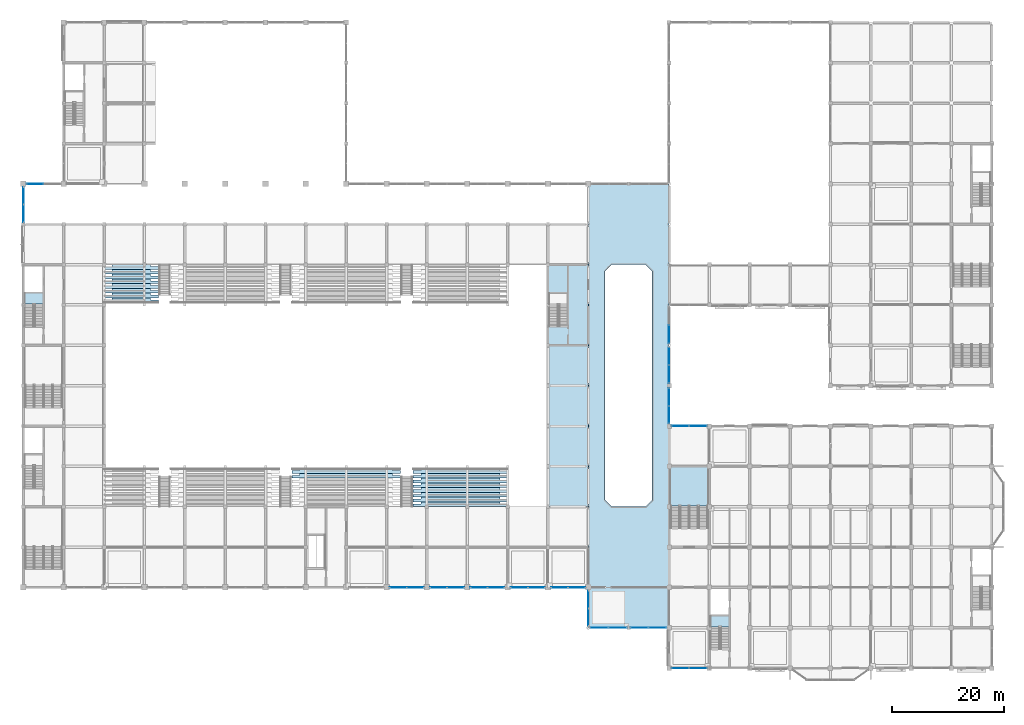
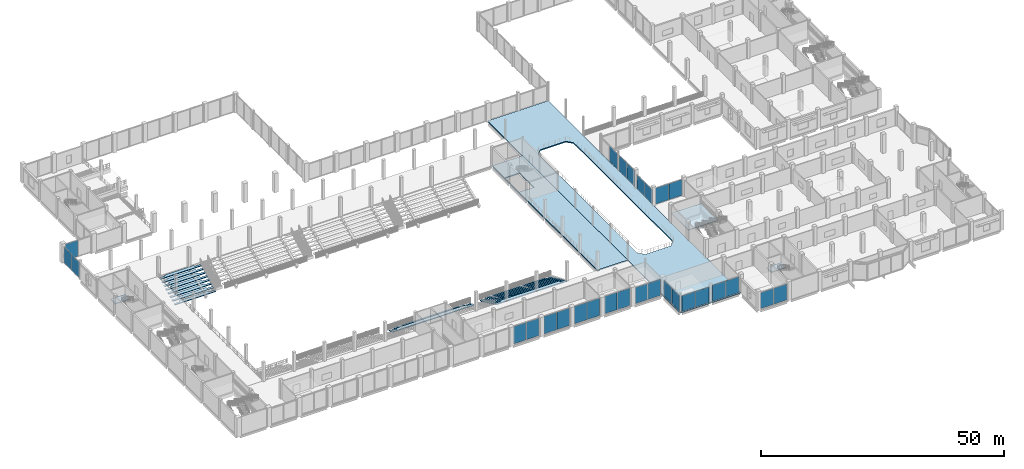
# One storey, part 56 of 99: 28 plates, 23 slabs, 18 elements without a shape of their own.
"""IFC4 building model written with IfcOpenShell, lengths in metres."""

from ifc_helpers import new_model, si_unit, direction, frame, origin, origin_2d, place, context, subcontext, project, spatial, polyline, rectangle, outline, extrude, material, layer, layer_set, type_object, element, aggregate, save


model = new_model("IFC4")

# Units and contexts
model_context = context("Model", 3, precision=1e-05, world=origin(), true_north=direction((0.0, 1.0)))
body_context = subcontext(model_context, "Body", "Model", "MODEL_VIEW")
ifc_project = project(units=[si_unit("LENGTHUNIT", "METRE"), si_unit("AREAUNIT", "SQUARE_METRE"), si_unit("VOLUMEUNIT", "CUBIC_METRE"), si_unit("PLANEANGLEUNIT", "RADIAN"), si_unit("MASSUNIT", "GRAM", prefix="KILO")], contexts=[model_context])

# Site, building, storey
site_placement = place(None, origin())
site = spatial("IfcSite", under=ifc_project, at=site_placement, CompositionType="ELEMENT")
building_placement = place(site_placement, origin())
building = spatial("IfcBuilding", under=site, at=building_placement, Name="Vesperath Aquatics Centre", CompositionType="ELEMENT")
storey_placement = place(building_placement, frame((0.0, 0.0, 5.39990234375)))
storey = spatial("IfcBuildingStorey", under=building, at=storey_placement, Name="L01", CompositionType="ELEMENT", Elevation=5.39990234375)

# Curtain wall, plates
ifc_material_1 = material(Name="Thermally broken anodised bronze aluminium curtain wall", Category="aluminium")
curtain_wall_type_1 = type_object("IfcCurtainWallType", Name="CW-02", PredefinedType="NOTDEFINED", material=ifc_material_1)
curtain_wall_1_placement = place(storey_placement, origin())
curtain_wall_1 = element("IfcCurtainWall", 1, at=curtain_wall_1_placement, inside=storey, type_object=curtain_wall_type_1, Name="Facade Curtain Wall CW02 L01_S_09_02", PredefinedType="NOTDEFINED")
ifc_material_2 = material(Name="Triple low-E argon insulated vision glass", Category="glass")
ifc_layer_1 = layer(ifc_material_2, 0.035888671875)
ifc_layer_set_1 = layer_set([ifc_layer_1], Name="Triple low-E argon insulated vision glass")
plate_type_1 = type_object("IfcPlateType", Name="PT-CWP02", PredefinedType="CURTAIN_PANEL", material=ifc_layer_set_1)
plate_1_placement = place(storey_placement, frame((66.86865234375, 14.39990234375, 0.0751953125), z_axis=(0.0, 0.0, 1.0), x_axis=(1.0, 0.0, 0.0)))
plate_1 = element("IfcPlate", 2, at=plate_1_placement, type_object=plate_type_1, Name="CW02 panel 1.1", PredefinedType="CURTAIN_PANEL", context=body_context, shape_type="SweptSolid", body=[
    extrude(rectangle(XDim=2.987548828125, YDim=0.035888671875, at=origin_2d()), origin(), (0.0, 0.0, 1.0), 4.389892578125),
])
plate_2_placement = place(storey_placement, frame((69.93115234375, 14.39990234375, 0.0751953125), z_axis=(0.0, 0.0, 1.0), x_axis=(1.0, 0.0, 0.0)))
plate_2 = element("IfcPlate", 3, at=plate_2_placement, type_object=plate_type_1, Name="CW02 panel 2.1", PredefinedType="CURTAIN_PANEL", context=body_context, shape_type="SweptSolid", body=[
    extrude(rectangle(XDim=2.987548828125, YDim=0.035888671875, at=origin_2d()), origin(), (0.0, 0.0, 1.0), 4.389892578125),
])
aggregate(curtain_wall_1, [plate_1, plate_2])

curtain_wall_2_placement = place(storey_placement, origin())
curtain_wall_2 = element("IfcCurtainWall", 4, at=curtain_wall_2_placement, inside=storey, type_object=curtain_wall_type_1, Name="Facade Curtain Wall CW02 L01_S_10_02", PredefinedType="NOTDEFINED")
plate_3_placement = place(storey_placement, frame((74.06884765625, 14.39990234375, 0.0751953125), z_axis=(0.0, 0.0, 1.0), x_axis=(1.0, 0.0, 0.0)))
plate_3 = element("IfcPlate", 5, at=plate_3_placement, type_object=plate_type_1, Name="CW02 panel 1.1", PredefinedType="CURTAIN_PANEL", context=body_context, shape_type="SweptSolid", body=[
    extrude(rectangle(XDim=2.987548828125, YDim=0.035888671875, at=origin_2d()), origin(), (0.0, 0.0, 1.0), 4.389892578125),
])
plate_4_placement = place(storey_placement, frame((77.13134765625, 14.39990234375, 0.0751953125), z_axis=(0.0, 0.0, 1.0), x_axis=(1.0, 0.0, 0.0)))
plate_4 = element("IfcPlate", 6, at=plate_4_placement, type_object=plate_type_1, Name="CW02 panel 2.1", PredefinedType="CURTAIN_PANEL", context=body_context, shape_type="SweptSolid", body=[
    extrude(rectangle(XDim=2.987548828125, YDim=0.035888671875, at=origin_2d()), origin(), (0.0, 0.0, 1.0), 4.389892578125),
])
aggregate(curtain_wall_2, [plate_3, plate_4])

curtain_wall_3_placement = place(storey_placement, origin())
curtain_wall_3 = element("IfcCurtainWall", 7, at=curtain_wall_3_placement, inside=storey, type_object=curtain_wall_type_1, Name="Facade Curtain Wall CW02 L01_S_11_02", PredefinedType="NOTDEFINED")
plate_5_placement = place(storey_placement, frame((81.268798828125, 14.39990234375, 0.0751953125), z_axis=(0.0, 0.0, 1.0), x_axis=(1.0, 0.0, 0.0)))
plate_5 = element("IfcPlate", 8, at=plate_5_placement, type_object=plate_type_1, Name="CW02 panel 1.1", PredefinedType="CURTAIN_PANEL", context=body_context, shape_type="SweptSolid", body=[
    extrude(rectangle(XDim=2.987548828125, YDim=0.035888671875, at=origin_2d()), origin(), (0.0, 0.0, 1.0), 4.389892578125),
])
plate_6_placement = place(storey_placement, frame((84.331298828125, 14.39990234375, 0.0751953125), z_axis=(0.0, 0.0, 1.0), x_axis=(1.0, 0.0, 0.0)))
plate_6 = element("IfcPlate", 9, at=plate_6_placement, type_object=plate_type_1, Name="CW02 panel 2.1", PredefinedType="CURTAIN_PANEL", context=body_context, shape_type="SweptSolid", body=[
    extrude(rectangle(XDim=2.987548828125, YDim=0.035888671875, at=origin_2d()), origin(), (0.0, 0.0, 1.0), 4.389892578125),
])
aggregate(curtain_wall_3, [plate_5, plate_6])

curtain_wall_4_placement = place(storey_placement, origin())
curtain_wall_4 = element("IfcCurtainWall", 10, at=curtain_wall_4_placement, inside=storey, type_object=curtain_wall_type_1, Name="Facade Curtain Wall CW02 L01_S_12_02", PredefinedType="NOTDEFINED")
plate_7_placement = place(storey_placement, frame((88.46875, 14.39990234375, 0.0751953125), z_axis=(0.0, 0.0, 1.0), x_axis=(1.0, 0.0, 0.0)))
plate_7 = element("IfcPlate", 11, at=plate_7_placement, type_object=plate_type_1, Name="CW02 panel 1.1", PredefinedType="CURTAIN_PANEL", context=body_context, shape_type="SweptSolid", body=[
    extrude(rectangle(XDim=2.987548828125, YDim=0.035888671875, at=origin_2d()), origin(), (0.0, 0.0, 1.0), 4.389892578125),
])
plate_8_placement = place(storey_placement, frame((91.53125, 14.39990234375, 0.0751953125), z_axis=(0.0, 0.0, 1.0), x_axis=(1.0, 0.0, 0.0)))
plate_8 = element("IfcPlate", 12, at=plate_8_placement, type_object=plate_type_1, Name="CW02 panel 2.1", PredefinedType="CURTAIN_PANEL", context=body_context, shape_type="SweptSolid", body=[
    extrude(rectangle(XDim=2.987548828125, YDim=0.035888671875, at=origin_2d()), origin(), (0.0, 0.0, 1.0), 4.389892578125),
])
aggregate(curtain_wall_4, [plate_7, plate_8])

curtain_wall_5_placement = place(storey_placement, origin())
curtain_wall_5 = element("IfcCurtainWall", 13, at=curtain_wall_5_placement, inside=storey, type_object=curtain_wall_type_1, Name="Facade Curtain Wall CW02 L01_S_13_02", PredefinedType="NOTDEFINED")
plate_9_placement = place(storey_placement, frame((95.668701171875, 14.39990234375, 0.0751953125), z_axis=(0.0, 0.0, 1.0), x_axis=(1.0, 0.0, 0.0)))
plate_9 = element("IfcPlate", 14, at=plate_9_placement, type_object=plate_type_1, Name="CW02 panel 1.1", PredefinedType="CURTAIN_PANEL", context=body_context, shape_type="SweptSolid", body=[
    extrude(rectangle(XDim=2.987548828125, YDim=0.035888671875, at=origin_2d()), origin(), (0.0, 0.0, 1.0), 4.0400390625),
])
plate_10_placement = place(storey_placement, frame((98.731201171875, 14.39990234375, 0.0751953125), z_axis=(0.0, 0.0, 1.0), x_axis=(1.0, 0.0, 0.0)))
plate_10 = element("IfcPlate", 15, at=plate_10_placement, type_object=plate_type_1, Name="CW02 panel 2.1", PredefinedType="CURTAIN_PANEL", context=body_context, shape_type="SweptSolid", body=[
    extrude(rectangle(XDim=2.987548828125, YDim=0.035888671875, at=origin_2d()), origin(), (0.0, 0.0, 1.0), 4.0400390625),
])
aggregate(curtain_wall_5, [plate_9, plate_10])

# Curtain wall, plate
curtain_wall_6_placement = place(storey_placement, origin())
curtain_wall_6 = element("IfcCurtainWall", 16, at=curtain_wall_6_placement, inside=storey, type_object=curtain_wall_type_1, Name="Facade Curtain Wall CW02 L01_N_00_12", PredefinedType="NOTDEFINED")
plate_11_placement = place(storey_placement, frame((2.06884765625, 86.39990234375, 0.0751953125), z_axis=(0.0, 0.0, 1.0), x_axis=(1.0, 0.0, 0.0)))
plate_11 = element("IfcPlate", 17, at=plate_11_placement, type_object=plate_type_1, Name="CW02 panel 1.1", PredefinedType="CURTAIN_PANEL", context=body_context, shape_type="SweptSolid", body=[
    extrude(rectangle(XDim=2.987548828125, YDim=0.035888671875, at=origin_2d()), origin(), (0.0, 0.0, 1.0), 4.0400390625),
])
aggregate(curtain_wall_6, [plate_11])

# Curtain wall, plates
curtain_wall_7_placement = place(storey_placement, origin())
curtain_wall_7 = element("IfcCurtainWall", 18, at=curtain_wall_7_placement, inside=storey, type_object=curtain_wall_type_1, Name="Facade Curtain Wall CW02 L01_E_16_06", PredefinedType="NOTDEFINED")
plate_12_placement = place(storey_placement, frame((115.199951171875, 45.21875, 0.0751953125), z_axis=(0.0, 0.0, 1.0), x_axis=(0.0, 1.0, 0.0)))
plate_12 = element("IfcPlate", 19, at=plate_12_placement, type_object=plate_type_1, Name="CW02 panel 1.1", PredefinedType="CURTAIN_PANEL", context=body_context, shape_type="SweptSolid", body=[
    extrude(rectangle(XDim=3.08740234375, YDim=0.035888671875, at=origin_2d()), origin(), (0.0, 0.0, 1.0), 3.489990234375),
])
plate_13_placement = place(storey_placement, frame((115.199951171875, 48.38134765625, 0.0751953125), z_axis=(0.0, 0.0, 1.0), x_axis=(0.0, 1.0, 0.0)))
plate_13 = element("IfcPlate", 20, at=plate_13_placement, type_object=plate_type_1, Name="CW02 panel 2.1", PredefinedType="CURTAIN_PANEL", context=body_context, shape_type="SweptSolid", body=[
    extrude(rectangle(XDim=3.08740234375, YDim=0.035888671875, at=origin_2d()), origin(), (0.0, 0.0, 1.0), 3.489990234375),
])
aggregate(curtain_wall_7, [plate_12, plate_13])

curtain_wall_type_2 = type_object("IfcCurtainWallType", Name="CW-06", PredefinedType="NOTDEFINED", material=ifc_material_1)
curtain_wall_8_placement = place(storey_placement, origin())
curtain_wall_8 = element("IfcCurtainWall", 21, at=curtain_wall_8_placement, inside=storey, type_object=curtain_wall_type_2, Name="Facade Curtain Wall CW06 L01_S_16_00", PredefinedType="NOTDEFINED")
ifc_layer_2 = layer(ifc_material_2, 0.035888671875)
ifc_layer_set_2 = layer_set([ifc_layer_2], Name="Triple low-E argon insulated vision glass")
plate_type_2 = type_object("IfcPlateType", Name="PT-CWP05", PredefinedType="CURTAIN_PANEL", material=ifc_layer_set_2)
plate_14_placement = place(storey_placement, frame((117.21875, 0.0, 0.0751953125), z_axis=(0.0, 0.0, 1.0), x_axis=(1.0, 0.0, 0.0)))
plate_14 = element("IfcPlate", 22, at=plate_14_placement, type_object=plate_type_2, Name="CW06 panel 1.1", PredefinedType="CURTAIN_PANEL", context=body_context, shape_type="SweptSolid", body=[
    extrude(rectangle(XDim=3.08740234375, YDim=0.035888671875, at=origin_2d()), origin(), (0.0, 0.0, 1.0), 4.0400390625),
])
plate_15_placement = place(storey_placement, frame((120.38134765625, 0.0, 0.0751953125), z_axis=(0.0, 0.0, 1.0), x_axis=(1.0, 0.0, 0.0)))
plate_15 = element("IfcPlate", 23, at=plate_15_placement, type_object=plate_type_2, Name="CW06 panel 2.1", PredefinedType="CURTAIN_PANEL", context=body_context, shape_type="SweptSolid", body=[
    extrude(rectangle(XDim=3.08740234375, YDim=0.035888671875, at=origin_2d()), origin(), (0.0, 0.0, 1.0), 4.0400390625),
])
aggregate(curtain_wall_8, [plate_14, plate_15])

curtain_wall_9_placement = place(storey_placement, origin())
curtain_wall_9 = element("IfcCurtainWall", 24, at=curtain_wall_9_placement, inside=storey, type_object=curtain_wall_type_2, Name="Facade Curtain Wall CW06 L01_S_14_01", PredefinedType="NOTDEFINED")
plate_16_placement = place(storey_placement, frame((102.734130859375, 7.199951171875, 0.0751953125), z_axis=(0.0, 0.0, 1.0), x_axis=(1.0, 0.0, 0.0)))
plate_16 = element("IfcPlate", 25, at=plate_16_placement, type_object=plate_type_2, Name="CW06 panel 1.1", PredefinedType="CURTAIN_PANEL", context=body_context, shape_type="SweptSolid", body=[
    extrude(rectangle(XDim=3.21044921875, YDim=0.035888671875, at=origin_2d()), origin(), (0.0, 0.0, 1.0), 3.902099609375),
])
plate_17_placement = place(storey_placement, frame((106.019775390625, 7.199951171875, 0.0751953125), z_axis=(0.0, 0.0, 1.0), x_axis=(1.0, 0.0, 0.0)))
plate_17 = element("IfcPlate", 26, at=plate_17_placement, type_object=plate_type_2, Name="CW06 panel 2.1", PredefinedType="CURTAIN_PANEL", context=body_context, shape_type="SweptSolid", body=[
    extrude(rectangle(XDim=3.21044921875, YDim=0.035888671875, at=origin_2d()), origin(), (0.0, 0.0, 1.0), 3.902099609375),
])
aggregate(curtain_wall_9, [plate_16, plate_17])

curtain_wall_10_placement = place(storey_placement, origin())
curtain_wall_10 = element("IfcCurtainWall", 27, at=curtain_wall_10_placement, inside=storey, type_object=curtain_wall_type_2, Name="Facade Curtain Wall CW06 L01_S_15_01", PredefinedType="NOTDEFINED")
plate_18_placement = place(storey_placement, frame((109.94384765625, 7.199951171875, 0.0751953125), z_axis=(0.0, 0.0, 1.0), x_axis=(1.0, 0.0, 0.0)))
plate_18 = element("IfcPlate", 28, at=plate_18_placement, type_object=plate_type_2, Name="CW06 panel 1.1", PredefinedType="CURTAIN_PANEL", context=body_context, shape_type="SweptSolid", body=[
    extrude(rectangle(XDim=3.137451171875, YDim=0.035888671875, at=origin_2d()), origin(), (0.0, 0.0, 1.0), 4.0400390625),
])
plate_19_placement = place(storey_placement, frame((113.15625, 7.199951171875, 0.0751953125), z_axis=(0.0, 0.0, 1.0), x_axis=(1.0, 0.0, 0.0)))
plate_19 = element("IfcPlate", 29, at=plate_19_placement, type_object=plate_type_2, Name="CW06 panel 2.1", PredefinedType="CURTAIN_PANEL", context=body_context, shape_type="SweptSolid", body=[
    extrude(rectangle(XDim=3.137451171875, YDim=0.035888671875, at=origin_2d()), origin(), (0.0, 0.0, 1.0), 4.0400390625),
])
aggregate(curtain_wall_10, [plate_18, plate_19])

curtain_wall_11_placement = place(storey_placement, origin())
curtain_wall_11 = element("IfcCurtainWall", 30, at=curtain_wall_11_placement, inside=storey, type_object=curtain_wall_type_2, Name="Facade Curtain Wall CW06 L01_N_16_06", PredefinedType="NOTDEFINED")
plate_20_placement = place(storey_placement, frame((117.21875, 43.199951171875, 0.0751953125), z_axis=(0.0, 0.0, 1.0), x_axis=(1.0, 0.0, 0.0)))
plate_20 = element("IfcPlate", 31, at=plate_20_placement, type_object=plate_type_2, Name="CW06 panel 1.1", PredefinedType="CURTAIN_PANEL", context=body_context, shape_type="SweptSolid", body=[
    extrude(rectangle(XDim=3.08740234375, YDim=0.035888671875, at=origin_2d()), origin(), (0.0, 0.0, 1.0), 4.0400390625),
])
plate_21_placement = place(storey_placement, frame((120.38134765625, 43.199951171875, 0.0751953125), z_axis=(0.0, 0.0, 1.0), x_axis=(1.0, 0.0, 0.0)))
plate_21 = element("IfcPlate", 32, at=plate_21_placement, type_object=plate_type_2, Name="CW06 panel 2.1", PredefinedType="CURTAIN_PANEL", context=body_context, shape_type="SweptSolid", body=[
    extrude(rectangle(XDim=3.08740234375, YDim=0.035888671875, at=origin_2d()), origin(), (0.0, 0.0, 1.0), 4.0400390625),
])
aggregate(curtain_wall_11, [plate_20, plate_21])

curtain_wall_12_placement = place(storey_placement, origin())
curtain_wall_12 = element("IfcCurtainWall", 33, at=curtain_wall_12_placement, inside=storey, type_object=curtain_wall_type_2, Name="Facade Curtain Wall CW06 L01_W_00_11", PredefinedType="NOTDEFINED")
plate_22_placement = place(storey_placement, frame((0.0, 81.11865234375, 0.0751953125), z_axis=(0.0, 0.0, 1.0), x_axis=(0.0, 1.0, 0.0)))
plate_22 = element("IfcPlate", 34, at=plate_22_placement, type_object=plate_type_2, Name="CW06 panel 1.1", PredefinedType="CURTAIN_PANEL", context=body_context, shape_type="SweptSolid", body=[
    extrude(rectangle(XDim=3.08740234375, YDim=0.035888671875, at=origin_2d()), origin(), (0.0, 0.0, 1.0), 3.902099609375),
])
plate_23_placement = place(storey_placement, frame((0.0, 84.28125, 0.0751953125), z_axis=(0.0, 0.0, 1.0), x_axis=(0.0, 1.0, 0.0)))
plate_23 = element("IfcPlate", 35, at=plate_23_placement, type_object=plate_type_2, Name="CW06 panel 2.1", PredefinedType="CURTAIN_PANEL", context=body_context, shape_type="SweptSolid", body=[
    extrude(rectangle(XDim=3.08740234375, YDim=0.035888671875, at=origin_2d()), origin(), (0.0, 0.0, 1.0), 3.902099609375),
])
aggregate(curtain_wall_12, [plate_22, plate_23])

curtain_wall_13_placement = place(storey_placement, origin())
curtain_wall_13 = element("IfcCurtainWall", 36, at=curtain_wall_13_placement, inside=storey, type_object=curtain_wall_type_2, Name="Facade Curtain Wall CW06 L01_W_14_01", PredefinedType="NOTDEFINED")
plate_24_placement = place(storey_placement, frame((100.800048828125, 9.084228515625, 0.0751953125), z_axis=(0.0, 0.0, 1.0), x_axis=(0.0, 1.0, 0.0)))
plate_24 = element("IfcPlate", 37, at=plate_24_placement, type_object=plate_type_2, Name="CW06 panel 1.1", PredefinedType="CURTAIN_PANEL", context=body_context, shape_type="SweptSolid", body=[
    extrude(rectangle(XDim=3.110595703125, YDim=0.035888671875, at=origin_2d()), origin(), (0.0, 0.0, 1.0), 3.902099609375),
])
plate_25_placement = place(storey_placement, frame((100.800048828125, 12.269775390625, 0.0751953125), z_axis=(0.0, 0.0, 1.0), x_axis=(0.0, 1.0, 0.0)))
plate_25 = element("IfcPlate", 38, at=plate_25_placement, type_object=plate_type_2, Name="CW06 panel 2.1", PredefinedType="CURTAIN_PANEL", context=body_context, shape_type="SweptSolid", body=[
    extrude(rectangle(XDim=3.110595703125, YDim=0.035888671875, at=origin_2d()), origin(), (0.0, 0.0, 1.0), 3.902099609375),
])
aggregate(curtain_wall_13, [plate_24, plate_25])

curtain_wall_14_placement = place(storey_placement, origin())
curtain_wall_14 = element("IfcCurtainWall", 39, at=curtain_wall_14_placement, inside=storey, type_object=curtain_wall_type_2, Name="Facade Curtain Wall CW06 L01_E_16_07", PredefinedType="NOTDEFINED")
plate_26_placement = place(storey_placement, frame((115.199951171875, 52.455322265625, 0.0751953125), z_axis=(0.0, 0.0, 1.0), x_axis=(0.0, 1.0, 0.0)))
plate_26 = element("IfcPlate", 40, at=plate_26_placement, type_object=plate_type_2, Name="CW06 panel 1.1", PredefinedType="CURTAIN_PANEL", context=body_context, shape_type="SweptSolid", body=[
    extrude(rectangle(XDim=3.160400390625, YDim=0.035888671875, at=origin_2d()), origin(), (0.0, 0.0, 1.0), 3.902099609375),
])
plate_27_placement = place(storey_placement, frame((115.199951171875, 55.690673828125, 0.0751953125), z_axis=(0.0, 0.0, 1.0), x_axis=(0.0, 1.0, 0.0)))
plate_27 = element("IfcPlate", 41, at=plate_27_placement, type_object=plate_type_2, Name="CW06 panel 2.1", PredefinedType="CURTAIN_PANEL", context=body_context, shape_type="SweptSolid", body=[
    extrude(rectangle(XDim=3.160400390625, YDim=0.035888671875, at=origin_2d()), origin(), (0.0, 0.0, 1.0), 3.902099609375),
])
aggregate(curtain_wall_14, [plate_26, plate_27])

# Curtain wall, plate
curtain_wall_15_placement = place(storey_placement, origin())
curtain_wall_15 = element("IfcCurtainWall", 42, at=curtain_wall_15_placement, inside=storey, type_object=curtain_wall_type_2, Name="Facade Curtain Wall CW06 L01_E_16_08", PredefinedType="NOTDEFINED")
plate_28_placement = place(storey_placement, frame((115.199951171875, 59.545654296875, 0.0751953125), z_axis=(0.0, 0.0, 1.0), x_axis=(0.0, 1.0, 0.0)))
plate_28 = element("IfcPlate", 43, at=plate_28_placement, type_object=plate_type_2, Name="CW06 panel 1.1", PredefinedType="CURTAIN_PANEL", context=body_context, shape_type="SweptSolid", body=[
    extrude(rectangle(XDim=3.2333984375, YDim=0.035888671875, at=origin_2d()), origin(), (0.0, 0.0, 1.0), 3.902099609375),
])
aggregate(curtain_wall_15, [plate_28])

# Slabs
ifc_material_3 = material(Name="Concrete C35", Category="concrete")
ifc_layer_3 = layer(ifc_material_3, 0.260009765625)
ifc_layer_set_3 = layer_set([ifc_layer_3], Name="Concrete C35")
slab_type_1 = type_object("IfcSlabType", Name="SL-FL02", PredefinedType="FLOOR", material=ifc_layer_set_3)
slab_1_placement = place(storey_placement, frame((0.0, 0.0, -0.260009765625)))
element("IfcSlab", 44, at=slab_1_placement, inside=storey, type_object=slab_type_1, Name="East Spectator Concourse Slab SL02 L01", PredefinedType="FLOOR", context=body_context, shape_type="SweptSolid", body=[
    extrude(outline(polyline([(93.60009765625, 28.800048828125), (100.800048828125, 28.800048828125), (100.800048828125, 72.0), (93.60009765625, 72.0), (93.60009765625, 28.800048828125)]), holes=[polyline([(93.679931640625, 61.050048828125), (97.139892578125, 61.050048828125), (97.139892578125, 66.9599609375), (93.679931640625, 66.9599609375), (93.679931640625, 61.050048828125)])]), origin(), (0.0, 0.0, 1.0), 0.260009765625),
])
slab_2_placement = place(storey_placement, frame((0.0, 0.0, -0.260009765625)))
element("IfcSlab", 45, at=slab_2_placement, inside=storey, type_object=slab_type_1, Name="Conservatory Gallery Slab SL02 L01", PredefinedType="FLOOR", context=body_context, shape_type="SweptSolid", body=[
    extrude(outline(polyline([(100.800048828125, 7.199951171875), (115.199951171875, 7.199951171875), (115.199951171875, 86.39990234375), (100.800048828125, 86.39990234375), (100.800048828125, 7.199951171875)]), holes=[polyline([(105.0, 28.800048828125), (111.0, 28.800048828125), (112.199951171875, 30.0), (112.199951171875, 70.800048828125), (111.0, 72.0), (105.0, 72.0), (103.800048828125, 70.800048828125), (103.800048828125, 30.0), (105.0, 28.800048828125)])]), origin(), (0.0, 0.0, 1.0), 0.260009765625),
])

# Stair, slab
stair_type_1 = type_object("IfcStairType", Name="ST-HT48", PredefinedType="HALF_TURN_STAIR", material=ifc_material_3)
stair_1_placement = place(storey_placement, origin())
stair_1 = element("IfcStair", 46, at=stair_1_placement, inside=storey, type_object=stair_type_1, Name="Enclosed Exit Stair ST5 L01", PredefinedType="HALF_TURN_STAIR")
ifc_layer_4 = layer(ifc_material_3, 0.199951171875)
ifc_layer_set_4 = layer_set([ifc_layer_4], Name="Concrete C35")
slab_type_2 = type_object("IfcSlabType", Name="SL-LND1", PredefinedType="LANDING", material=ifc_layer_set_4)
slab_3_placement = place(storey_placement, frame((0.0, 0.0, 2.2001953125)))
slab_3 = element("IfcSlab", 47, at=slab_3_placement, type_object=slab_type_2, Name="Stair ST5 Half-Landing L01", PredefinedType="LANDING", context=body_context, shape_type="SweptSolid", body=[
    extrude(outline(polyline([(122.489990234375, 7.340087890625), (125.919921875, 7.340087890625), (125.919921875, 9.300048828125), (122.489990234375, 9.300048828125), (122.489990234375, 7.340087890625)])), origin(), (0.0, 0.0, 1.0), 0.199951171875),
])
aggregate(stair_1, [slab_3])

stair_type_2 = type_object("IfcStairType", Name="ST-HW48", PredefinedType="HALF_TURN_STAIR", material=ifc_material_3)
stair_2_placement = place(storey_placement, origin())
stair_2 = element("IfcStair", 48, at=stair_2_placement, inside=storey, type_object=stair_type_2, Name="Enclosed Exit Stair ST7A L01", PredefinedType="HALF_TURN_STAIR")
slab_4_placement = place(storey_placement, frame((0.0, 0.0, 2.2001953125)))
slab_4 = element("IfcSlab", 49, at=slab_4_placement, type_object=slab_type_2, Name="Stairs ST7A and ST7B Half-Landing L01", PredefinedType="LANDING", context=body_context, shape_type="SweptSolid", body=[
    extrude(outline(polyline([(115.2900390625, 28.93994140625), (122.31005859375, 28.93994140625), (122.31005859375, 35.909912109375), (115.2900390625, 35.909912109375), (115.2900390625, 28.93994140625)])), origin(), (0.0, 0.0, 1.0), 0.199951171875),
])
aggregate(stair_2, [slab_4])

stair_3_placement = place(storey_placement, origin())
stair_3 = element("IfcStair", 50, at=stair_3_placement, inside=storey, type_object=stair_type_1, Name="Enclosed Exit Stair ST2 L01", PredefinedType="HALF_TURN_STAIR")
ifc_layer_5 = layer(ifc_material_3, 0.18994140625)
ifc_layer_set_5 = layer_set([ifc_layer_5], Name="Concrete C35")
slab_type_3 = type_object("IfcSlabType", Name="SL-LND2", PredefinedType="LANDING", material=ifc_layer_set_5)
slab_5_placement = place(storey_placement, frame((0.0, 0.0, 2.210205078125)))
slab_5 = element("IfcSlab", 51, at=slab_5_placement, type_object=slab_type_3, Name="Stair ST2 Half-Landing L01", PredefinedType="LANDING", context=body_context, shape_type="SweptSolid", body=[
    extrude(outline(polyline([(0.090087890625, 64.93994140625), (3.52001953125, 64.93994140625), (3.52001953125, 66.89990234375), (0.090087890625, 66.89990234375), (0.090087890625, 64.93994140625)])), origin(), (0.0, 0.0, 1.0), 0.18994140625),
])
aggregate(stair_3, [slab_5])

# Slabs
ifc_material_4 = material(Name="Precast concrete C35", Category="concrete")
ifc_layer_6 = layer(ifc_material_4, 0.179931640625)
ifc_layer_set_6 = layer_set([ifc_layer_6], Name="Precast concrete C35")
slab_type_4 = type_object("IfcSlabType", Name="SL-ST01", PredefinedType="USERDEFINED", material=ifc_layer_set_6)
slab_6_placement = place(storey_placement, frame((0.0, 0.0, -0.3798828125)))
element("IfcSlab", 52, at=slab_6_placement, inside=storey, type_object=slab_type_4, Name="Stand Lower North B1 Row 1", ObjectType="SEATING TIER", PredefinedType="USERDEFINED", context=body_context, shape_type="SweptSolid", body=[
    extrude(outline(polyline([(14.39990234375, 71.14990234375), (24.10009765625, 71.14990234375), (24.10009765625, 71.659912109375), (22.699951171875, 71.659912109375), (22.699951171875, 72.0), (15.800048828125, 72.0), (15.800048828125, 71.659912109375), (14.39990234375, 71.659912109375), (14.39990234375, 71.14990234375)])), origin(), (0.0, 0.0, 1.0), 0.179931640625),
])
slab_7_placement = place(storey_placement, frame((0.0, 0.0, -0.3798828125)))
element("IfcSlab", 53, at=slab_7_placement, inside=storey, type_object=slab_type_4, Name="Stand Lower South B4 Row 1", ObjectType="SEATING TIER", PredefinedType="USERDEFINED", context=body_context, shape_type="SweptSolid", body=[
    extrude(outline(polyline([(69.5, 28.800048828125), (86.39990234375, 28.800048828125), (86.39990234375, 29.31005859375), (85.0, 29.31005859375), (85.0, 29.64990234375), (70.89990234375, 29.64990234375), (70.89990234375, 29.31005859375), (69.5, 29.31005859375), (69.5, 28.800048828125)])), origin(), (0.0, 0.0, 1.0), 0.179931640625),
])
slab_8_placement = place(storey_placement, frame((0.0, 0.0, -0.77978515625)))
element("IfcSlab", 54, at=slab_8_placement, inside=storey, type_object=slab_type_4, Name="Stand Lower North B1 Row 2", ObjectType="SEATING TIER", PredefinedType="USERDEFINED", context=body_context, shape_type="SweptSolid", body=[
    extrude(outline(polyline([(14.39990234375, 70.300048828125), (24.10009765625, 70.300048828125), (24.10009765625, 70.81005859375), (22.699951171875, 70.81005859375), (22.699951171875, 71.14990234375), (15.800048828125, 71.14990234375), (15.800048828125, 70.81005859375), (14.39990234375, 70.81005859375), (14.39990234375, 70.300048828125)])), origin(), (0.0, 0.0, 1.0), 0.179931640625),
])
slab_9_placement = place(storey_placement, frame((0.0, 0.0, -0.77978515625)))
element("IfcSlab", 55, at=slab_9_placement, inside=storey, type_object=slab_type_4, Name="Stand Lower South B4 Row 2", ObjectType="SEATING TIER", PredefinedType="USERDEFINED", context=body_context, shape_type="SweptSolid", body=[
    extrude(outline(polyline([(69.5, 29.64990234375), (86.39990234375, 29.64990234375), (86.39990234375, 30.159912109375), (85.0, 30.159912109375), (85.0, 30.5), (70.89990234375, 30.5), (70.89990234375, 30.159912109375), (69.5, 30.159912109375), (69.5, 29.64990234375)])), origin(), (0.0, 0.0, 1.0), 0.179931640625),
])
slab_10_placement = place(storey_placement, frame((0.0, 0.0, -1.179931640625)))
element("IfcSlab", 56, at=slab_10_placement, inside=storey, type_object=slab_type_4, Name="Stand Lower North B1 Row 3", ObjectType="SEATING TIER", PredefinedType="USERDEFINED", context=body_context, shape_type="SweptSolid", body=[
    extrude(outline(polyline([(14.39990234375, 69.449951171875), (24.10009765625, 69.449951171875), (24.10009765625, 69.9599609375), (22.699951171875, 69.9599609375), (22.699951171875, 70.300048828125), (15.800048828125, 70.300048828125), (15.800048828125, 69.9599609375), (14.39990234375, 69.9599609375), (14.39990234375, 69.449951171875)])), origin(), (0.0, 0.0, 1.0), 0.179931640625),
])
slab_11_placement = place(storey_placement, frame((0.0, 0.0, -1.179931640625)))
element("IfcSlab", 57, at=slab_11_placement, inside=storey, type_object=slab_type_4, Name="Stand Lower South B4 Row 3", ObjectType="SEATING TIER", PredefinedType="USERDEFINED", context=body_context, shape_type="SweptSolid", body=[
    extrude(outline(polyline([(69.5, 30.5), (86.39990234375, 30.5), (86.39990234375, 31.010009765625), (85.0, 31.010009765625), (85.0, 31.35009765625), (70.89990234375, 31.35009765625), (70.89990234375, 31.010009765625), (69.5, 31.010009765625), (69.5, 30.5)])), origin(), (0.0, 0.0, 1.0), 0.179931640625),
])
slab_12_placement = place(storey_placement, frame((0.0, 0.0, -1.579833984375)))
element("IfcSlab", 58, at=slab_12_placement, inside=storey, type_object=slab_type_4, Name="Stand Lower North B1 Row 4", ObjectType="SEATING TIER", PredefinedType="USERDEFINED", context=body_context, shape_type="SweptSolid", body=[
    extrude(outline(polyline([(14.39990234375, 68.60009765625), (24.10009765625, 68.60009765625), (24.10009765625, 69.110107421875), (22.699951171875, 69.110107421875), (22.699951171875, 69.449951171875), (15.800048828125, 69.449951171875), (15.800048828125, 69.110107421875), (14.39990234375, 69.110107421875), (14.39990234375, 68.60009765625)])), origin(), (0.0, 0.0, 1.0), 0.179931640625),
])
slab_13_placement = place(storey_placement, frame((0.0, 0.0, -1.579833984375)))
element("IfcSlab", 59, at=slab_13_placement, inside=storey, type_object=slab_type_4, Name="Stand Lower South B4 Row 4", ObjectType="SEATING TIER", PredefinedType="USERDEFINED", context=body_context, shape_type="SweptSolid", body=[
    extrude(outline(polyline([(69.5, 31.35009765625), (86.39990234375, 31.35009765625), (86.39990234375, 31.860107421875), (85.0, 31.860107421875), (85.0, 32.199951171875), (70.89990234375, 32.199951171875), (70.89990234375, 31.860107421875), (69.5, 31.860107421875), (69.5, 31.35009765625)])), origin(), (0.0, 0.0, 1.0), 0.179931640625),
])
slab_14_placement = place(storey_placement, frame((0.0, 0.0, -1.97998046875)))
element("IfcSlab", 60, at=slab_14_placement, inside=storey, type_object=slab_type_4, Name="Stand Lower North B1 Row 5", ObjectType="SEATING TIER", PredefinedType="USERDEFINED", context=body_context, shape_type="SweptSolid", body=[
    extrude(outline(polyline([(14.39990234375, 67.75), (24.10009765625, 67.75), (24.10009765625, 68.260009765625), (22.699951171875, 68.260009765625), (22.699951171875, 68.60009765625), (15.800048828125, 68.60009765625), (15.800048828125, 68.260009765625), (14.39990234375, 68.260009765625), (14.39990234375, 67.75)])), origin(), (0.0, 0.0, 1.0), 0.18017578125),
])
slab_15_placement = place(storey_placement, frame((0.0, 0.0, -1.97998046875)))
element("IfcSlab", 61, at=slab_15_placement, inside=storey, type_object=slab_type_4, Name="Stand Lower South B4 Row 5", ObjectType="SEATING TIER", PredefinedType="USERDEFINED", context=body_context, shape_type="SweptSolid", body=[
    extrude(outline(polyline([(69.5, 32.199951171875), (86.39990234375, 32.199951171875), (86.39990234375, 32.7099609375), (85.0, 32.7099609375), (85.0, 33.050048828125), (70.89990234375, 33.050048828125), (70.89990234375, 32.7099609375), (69.5, 32.7099609375), (69.5, 32.199951171875)])), origin(), (0.0, 0.0, 1.0), 0.18017578125),
])
slab_16_placement = place(storey_placement, frame((0.0, 0.0, -2.3798828125)))
element("IfcSlab", 62, at=slab_16_placement, inside=storey, type_object=slab_type_4, Name="Stand Lower North B1 Row 6", ObjectType="SEATING TIER", PredefinedType="USERDEFINED", context=body_context, shape_type="SweptSolid", body=[
    extrude(outline(polyline([(14.39990234375, 66.89990234375), (24.10009765625, 66.89990234375), (24.10009765625, 67.409912109375), (22.699951171875, 67.409912109375), (22.699951171875, 67.75), (15.800048828125, 67.75), (15.800048828125, 67.409912109375), (14.39990234375, 67.409912109375), (14.39990234375, 66.89990234375)])), origin(), (0.0, 0.0, 1.0), 0.179931640625),
])
slab_17_placement = place(storey_placement, frame((0.0, 0.0, -2.3798828125)))
element("IfcSlab", 63, at=slab_17_placement, inside=storey, type_object=slab_type_4, Name="Stand Lower South B4 Row 6", ObjectType="SEATING TIER", PredefinedType="USERDEFINED", context=body_context, shape_type="SweptSolid", body=[
    extrude(outline(polyline([(69.5, 33.050048828125), (86.39990234375, 33.050048828125), (86.39990234375, 33.56005859375), (85.0, 33.56005859375), (85.0, 33.89990234375), (70.89990234375, 33.89990234375), (70.89990234375, 33.56005859375), (69.5, 33.56005859375), (69.5, 33.050048828125)])), origin(), (0.0, 0.0, 1.0), 0.179931640625),
])
slab_18_placement = place(storey_placement, frame((0.0, 0.0, -2.77978515625)))
element("IfcSlab", 64, at=slab_18_placement, inside=storey, type_object=slab_type_4, Name="Stand Lower North B1 Row 7", ObjectType="SEATING TIER", PredefinedType="USERDEFINED", context=body_context, shape_type="SweptSolid", body=[
    extrude(outline(polyline([(14.39990234375, 66.050048828125), (24.10009765625, 66.050048828125), (24.10009765625, 66.56005859375), (22.699951171875, 66.56005859375), (22.699951171875, 66.89990234375), (15.800048828125, 66.89990234375), (15.800048828125, 66.56005859375), (14.39990234375, 66.56005859375), (14.39990234375, 66.050048828125)])), origin(), (0.0, 0.0, 1.0), 0.179931640625),
])
slab_19_placement = place(storey_placement, frame((0.0, 0.0, -2.77978515625)))
element("IfcSlab", 65, at=slab_19_placement, inside=storey, type_object=slab_type_4, Name="Stand Lower South B3 Row 7", ObjectType="SEATING TIER", PredefinedType="USERDEFINED", context=body_context, shape_type="SweptSolid", body=[
    extrude(outline(polyline([(47.89990234375, 33.89990234375), (67.300048828125, 33.89990234375), (67.300048828125, 34.409912109375), (65.89990234375, 34.409912109375), (65.89990234375, 34.75), (49.300048828125, 34.75), (49.300048828125, 34.409912109375), (47.89990234375, 34.409912109375), (47.89990234375, 33.89990234375)])), origin(), (0.0, 0.0, 1.0), 0.179931640625),
])
slab_20_placement = place(storey_placement, frame((0.0, 0.0, -2.77978515625)))
element("IfcSlab", 66, at=slab_20_placement, inside=storey, type_object=slab_type_4, Name="Stand Lower South B4 Row 7", ObjectType="SEATING TIER", PredefinedType="USERDEFINED", context=body_context, shape_type="SweptSolid", body=[
    extrude(outline(polyline([(69.5, 33.89990234375), (86.39990234375, 33.89990234375), (86.39990234375, 34.409912109375), (85.0, 34.409912109375), (85.0, 34.75), (70.89990234375, 34.75), (70.89990234375, 34.409912109375), (69.5, 34.409912109375), (69.5, 33.89990234375)])), origin(), (0.0, 0.0, 1.0), 0.179931640625),
])
slab_21_placement = place(storey_placement, frame((0.0, 0.0, -3.179931640625)))
element("IfcSlab", 67, at=slab_21_placement, inside=storey, type_object=slab_type_4, Name="Stand Lower North B1 Row 8", ObjectType="SEATING TIER", PredefinedType="USERDEFINED", context=body_context, shape_type="SweptSolid", body=[
    extrude(outline(polyline([(14.39990234375, 65.199951171875), (24.10009765625, 65.199951171875), (24.10009765625, 65.7099609375), (22.699951171875, 65.7099609375), (22.699951171875, 66.050048828125), (15.800048828125, 66.050048828125), (15.800048828125, 65.7099609375), (14.39990234375, 65.7099609375), (14.39990234375, 65.199951171875)])), origin(), (0.0, 0.0, 1.0), 0.179931640625),
])
slab_22_placement = place(storey_placement, frame((0.0, 0.0, -3.179931640625)))
element("IfcSlab", 68, at=slab_22_placement, inside=storey, type_object=slab_type_4, Name="Stand Lower South B3 Row 8", ObjectType="SEATING TIER", PredefinedType="USERDEFINED", context=body_context, shape_type="SweptSolid", body=[
    extrude(outline(polyline([(47.89990234375, 34.75), (67.300048828125, 34.75), (67.300048828125, 35.260009765625), (65.89990234375, 35.260009765625), (65.89990234375, 35.60009765625), (49.300048828125, 35.60009765625), (49.300048828125, 35.260009765625), (47.89990234375, 35.260009765625), (47.89990234375, 34.75)])), origin(), (0.0, 0.0, 1.0), 0.179931640625),
])
slab_23_placement = place(storey_placement, frame((0.0, 0.0, -3.179931640625)))
element("IfcSlab", 69, at=slab_23_placement, inside=storey, type_object=slab_type_4, Name="Stand Lower South B4 Row 8", ObjectType="SEATING TIER", PredefinedType="USERDEFINED", context=body_context, shape_type="SweptSolid", body=[
    extrude(outline(polyline([(69.5, 34.75), (86.39990234375, 34.75), (86.39990234375, 35.260009765625), (85.0, 35.260009765625), (85.0, 35.60009765625), (70.89990234375, 35.60009765625), (70.89990234375, 35.260009765625), (69.5, 35.260009765625), (69.5, 34.75)])), origin(), (0.0, 0.0, 1.0), 0.179931640625),
])

save(model, "model.ifc")
